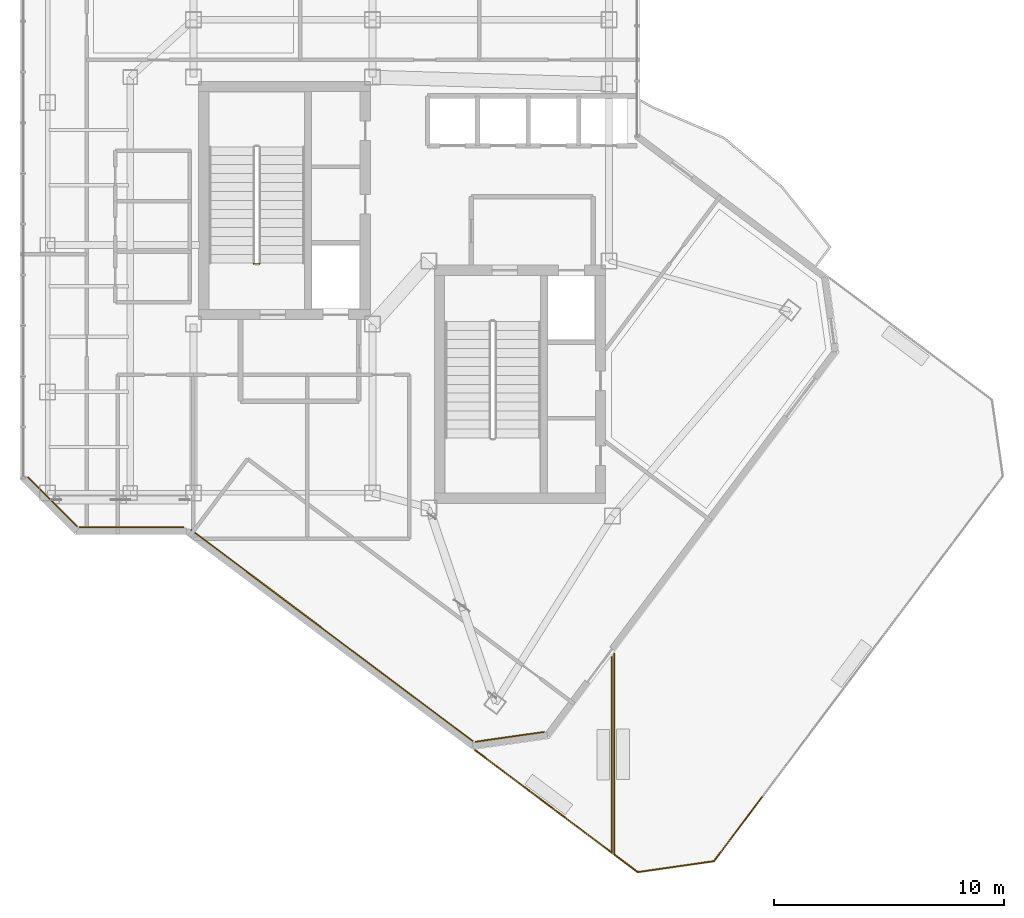
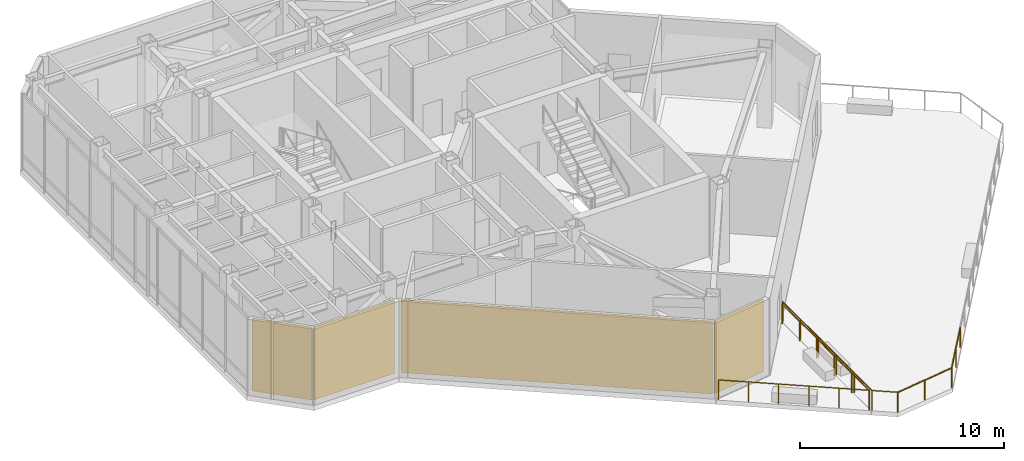
# One storey, part 19 of 21: 21 railings, 4 coverings.
"""IFC4 building model written with IfcOpenShell, lengths in metres."""

from ifc_helpers import new_model, si_unit, direction, frame, origin, origin_2d, place, context, subcontext, project, spatial, rectangle, circle, extrude, material, layer, layer_set, type_object, element, save


model = new_model("IFC4")

# Units and contexts
model_context = context("Model", 3, precision=1e-05, world=origin(), true_north=direction((0.0, 1.0)))
body_context = subcontext(model_context, "Body", "Model", "MODEL_VIEW")
ifc_project = project(units=[si_unit("LENGTHUNIT", "METRE"), si_unit("AREAUNIT", "SQUARE_METRE"), si_unit("VOLUMEUNIT", "CUBIC_METRE"), si_unit("PLANEANGLEUNIT", "RADIAN"), si_unit("MASSUNIT", "GRAM", prefix="KILO")], contexts=[model_context])

# Site, building, storey
site_placement = place(None, origin())
site = spatial("IfcSite", under=ifc_project, at=site_placement, CompositionType="ELEMENT")
building_placement = place(site_placement, origin())
building = spatial("IfcBuilding", under=site, at=building_placement, Name="Hatsunagi Terrace Concourse", CompositionType="ELEMENT")
storey_placement = place(building_placement, frame((0.0, 0.0, 234.75)))
storey = spatial("IfcBuildingStorey", under=building, at=storey_placement, Name="L62", CompositionType="ELEMENT", Elevation=234.75)

# Railings
ifc_material_1 = material(Name="Stainless Steel SUS316 Post-and-Rail Guard", Category="steel")
ifc_layer_1 = layer(ifc_material_1, 0.080078125)
ifc_layer_set_1 = layer_set([ifc_layer_1], Name="TerracePlantedGuardRail_1200")
railing_type = type_object("IfcRailingType", Name="TerracePlantedGuardRail_1200", PredefinedType="GUARDRAIL", material=ifc_layer_set_1)
railing_1_placement = place(storey_placement, frame((28.179931640625, 35.179931640625, 0.0)))
element("IfcRailing", 1, at=railing_1_placement, inside=storey, type_object=railing_type, Name="Stair ST-A Well Closure Guard L62", PredefinedType="GUARDRAIL", context=body_context, shape_type="SweptSolid", body=[
    extrude(circle(Radius=0.02392578125, at=origin_2d()), frame((0.0, 0.0, 1.09619140625), z_axis=(1.0, 0.0, 0.0), x_axis=(0.0, 1.0, 0.0)), (0.0, 0.0, 1.0), 0.25),
    extrude(circle(Radius=0.02099609375, at=origin_2d()), origin(), (0.0, 0.0, 1.0), 1.072021484375),
    extrude(circle(Radius=0.02099609375, at=origin_2d()), frame((0.25, 0.0, 0.0)), (0.0, 0.0, 1.0), 1.072021484375),
])
railing_2_placement = place(storey_placement, frame((43.764892578125, 18.050048828125, -0.0400390625)))
element("IfcRailing", 2, at=railing_2_placement, inside=storey, type_object=railing_type, Name="Sky Garden Guardrail GRD-02 TER-L62-1-1 #1", PredefinedType="GUARDRAIL", context=body_context, shape_type="SweptSolid", body=[
    extrude(circle(Radius=0.02392578125, at=origin_2d()), frame((0.0, 0.0, 1.17578125), z_axis=(0.0, -1.0, 0.0), x_axis=(1.0, 0.0, 0.0)), (0.0, 0.0, 1.0), 1.697998046875),
    extrude(circle(Radius=0.02099609375, at=origin_2d()), origin(), (0.0, 0.0, 1.0), 1.15185546875),
    extrude(circle(Radius=0.02099609375, at=origin_2d()), frame((0.0, -1.697998046875, 0.0)), (0.0, 0.0, 1.0), 1.15185546875),
])
railing_3_placement = place(storey_placement, frame((43.764892578125, 16.343994140625, -0.0400390625)))
element("IfcRailing", 3, at=railing_3_placement, inside=storey, type_object=railing_type, Name="Sky Garden Guardrail GRD-02 TER-L62-1-1 #2", PredefinedType="GUARDRAIL", context=body_context, shape_type="SweptSolid", body=[
    extrude(circle(Radius=0.02392578125, at=origin_2d()), frame((0.0, 0.0, 1.17578125), z_axis=(0.0, -1.0, 0.0), x_axis=(1.0, 0.0, 0.0)), (0.0, 0.0, 1.0), 1.694091796875),
    extrude(circle(Radius=0.02099609375, at=origin_2d()), origin(), (0.0, 0.0, 1.0), 1.15185546875),
    extrude(circle(Radius=0.02099609375, at=origin_2d()), frame((0.0, -1.694091796875, 0.0)), (0.0, 0.0, 1.0), 1.15185546875),
])
railing_4_placement = place(storey_placement, frame((43.764892578125, 14.64208984375, -0.0400390625)))
element("IfcRailing", 4, at=railing_4_placement, inside=storey, type_object=railing_type, Name="Sky Garden Guardrail GRD-02 TER-L62-1-1 #3", PredefinedType="GUARDRAIL", context=body_context, shape_type="SweptSolid", body=[
    extrude(circle(Radius=0.02392578125, at=origin_2d()), frame((0.0, 0.0, 1.17578125), z_axis=(0.0, -1.0, 0.0), x_axis=(1.0, 0.0, 0.0)), (0.0, 0.0, 1.0), 1.695068359375),
    extrude(circle(Radius=0.02099609375, at=origin_2d()), origin(), (0.0, 0.0, 1.0), 1.15185546875),
    extrude(circle(Radius=0.02099609375, at=origin_2d()), frame((0.0, -1.695068359375, 0.0)), (0.0, 0.0, 1.0), 1.15185546875),
])
railing_5_placement = place(storey_placement, frame((43.764892578125, 12.93896484375, -0.0400390625)))
element("IfcRailing", 5, at=railing_5_placement, inside=storey, type_object=railing_type, Name="Sky Garden Guardrail GRD-02 TER-L62-1-1 #4", PredefinedType="GUARDRAIL", context=body_context, shape_type="SweptSolid", body=[
    extrude(circle(Radius=0.02392578125, at=origin_2d()), frame((0.0, 0.0, 1.17578125), z_axis=(0.0, -1.0, 0.0), x_axis=(1.0, 0.0, 0.0)), (0.0, 0.0, 1.0), 1.69384765625),
    extrude(circle(Radius=0.02099609375, at=origin_2d()), origin(), (0.0, 0.0, 1.0), 1.15185546875),
    extrude(circle(Radius=0.02099609375, at=origin_2d()), frame((0.0, -1.69384765625, 0.0)), (0.0, 0.0, 1.0), 1.15185546875),
])
railing_6_placement = place(storey_placement, frame((43.764892578125, 11.237060546875, -0.0400390625)))
element("IfcRailing", 6, at=railing_6_placement, inside=storey, type_object=railing_type, Name="Sky Garden Guardrail GRD-02 TER-L62-1-1 #5", PredefinedType="GUARDRAIL", context=body_context, shape_type="SweptSolid", body=[
    extrude(circle(Radius=0.02392578125, at=origin_2d()), frame((0.0, 0.0, 1.17578125), z_axis=(0.0, -1.0, 0.0), x_axis=(1.0, 0.0, 0.0)), (0.0, 0.0, 1.0), 1.697998046875),
    extrude(circle(Radius=0.02099609375, at=origin_2d()), origin(), (0.0, 0.0, 1.0), 1.15185546875),
    extrude(circle(Radius=0.02099609375, at=origin_2d()), frame((0.0, -1.697998046875, 0.0)), (0.0, 0.0, 1.0), 1.15185546875),
])
railing_7_placement = place(storey_placement, frame((43.764892578125, 9.5390625, -0.0400390625)))
element("IfcRailing", 7, at=railing_7_placement, inside=storey, type_object=railing_type, Name="Sky Garden Guardrail GRD-02 TER-L62-1-1 #6", PredefinedType="GUARDRAIL", context=body_context, shape_type="SweptSolid", body=[
    extrude(circle(Radius=0.02392578125, at=origin_2d()), frame((0.0, 0.0, 1.17578125), z_axis=(-0.800138359662, 0.599815476123, 0.0), x_axis=(-0.599815476123, -0.800138359662, 0.0)), (0.0, 0.0, 1.0), 1.48193359375),
    extrude(circle(Radius=0.02099609375, at=origin_2d()), origin(), (0.0, 0.0, 1.0), 1.15185546875),
    extrude(circle(Radius=0.02099609375, at=origin_2d()), frame((-1.185791015625, 0.888916015625, 0.0)), (0.0, 0.0, 1.0), 1.15185546875),
])
railing_8_placement = place(storey_placement, frame((42.572998046875, 10.43310546875, -0.0400390625)))
element("IfcRailing", 8, at=railing_8_placement, inside=storey, type_object=railing_type, Name="Sky Garden Guardrail GRD-02 TER-L62-1-1 #7", PredefinedType="GUARDRAIL", context=body_context, shape_type="SweptSolid", body=[
    extrude(circle(Radius=0.02392578125, at=origin_2d()), frame((0.0, 0.0, 1.17578125), z_axis=(-0.799821528917, 0.600237887741, 0.0), x_axis=(-0.600237887741, -0.799821528917, 0.0)), (0.0, 0.0, 1.0), 1.477783203125),
    extrude(circle(Radius=0.02099609375, at=origin_2d()), origin(), (0.0, 0.0, 1.0), 1.15185546875),
    extrude(circle(Radius=0.02099609375, at=origin_2d()), frame((-1.181884765625, 0.886962890625, 0.0)), (0.0, 0.0, 1.0), 1.15185546875),
])
for number, where, name in (
    (9, (41.384033203125, 11.324951171875, -0.0400390625), "Sky Garden Guardrail GRD-02 TER-L62-1-1 #8"),
    (10, (40.195068359375, 12.217041015625, -0.0400390625), "Sky Garden Guardrail GRD-02 TER-L62-1-1 #9"),
):
    element("IfcRailing", number, at=place(storey_placement, frame(where)), inside=storey, type_object=railing_type, Name=name, PredefinedType="GUARDRAIL", context=body_context, shape_type="SweptSolid", body=[
        extrude(circle(Radius=0.02392578125, at=origin_2d()), frame((0.0, 0.0, 1.17578125), z_axis=(-0.799881042862, 0.600158576769, 0.0), x_axis=(-0.600158576769, -0.799881042862, 0.0)), (0.0, 0.0, 1.0), 1.477783203125),
        extrude(circle(Radius=0.02099609375, at=origin_2d()), origin(), (0.0, 0.0, 1.0), 1.15185546875),
        extrude(circle(Radius=0.02099609375, at=origin_2d()), frame((-1.18212890625, 0.886962890625, 0.0)), (0.0, 0.0, 1.0), 1.15185546875),
    ])
railing_9_placement = place(storey_placement, frame((39.007080078125, 13.10888671875, -0.0400390625)))
element("IfcRailing", 11, at=railing_9_placement, inside=storey, type_object=railing_type, Name="Sky Garden Guardrail GRD-02 TER-L62-1-1 #10", PredefinedType="GUARDRAIL", context=body_context, shape_type="SweptSolid", body=[
    extrude(circle(Radius=0.02392578125, at=origin_2d()), frame((0.0, 0.0, 1.17578125), z_axis=(-0.80011856926, 0.599841875102, 0.0), x_axis=(-0.599841875102, -0.80011856926, 0.0)), (0.0, 0.0, 1.0), 1.482421875),
    extrude(circle(Radius=0.02099609375, at=origin_2d()), origin(), (0.0, 0.0, 1.0), 1.15185546875),
    extrude(circle(Radius=0.02099609375, at=origin_2d()), frame((-1.18603515625, 0.88916015625, 0.0)), (0.0, 0.0, 1.0), 1.15185546875),
])
railing_10_placement = place(storey_placement, frame((50.305908203125, 11.9580078125, -0.0400390625)))
element("IfcRailing", 12, at=railing_10_placement, inside=storey, type_object=railing_type, Name="Sky Garden Guardrail GRD-02 TER-L62-2-1 #18", PredefinedType="GUARDRAIL", context=body_context, shape_type="SweptSolid", body=[
    extrude(circle(Radius=0.02392578125, at=origin_2d()), frame((0.0, 0.0, 1.17578125), z_axis=(-0.600224569272, -0.799831523786, 0.0), x_axis=(0.799831523786, -0.600224569272, 0.0)), (0.0, 0.0, 1.0), 1.7392578125),
    extrude(circle(Radius=0.02099609375, at=origin_2d()), origin(), (0.0, 0.0, 1.0), 1.15185546875),
    extrude(circle(Radius=0.02099609375, at=origin_2d()), frame((-1.0439453125, -1.39111328125, 0.0)), (0.0, 0.0, 1.0), 1.15185546875),
])
railing_11_placement = place(storey_placement, frame((49.258056640625, 10.56103515625, -0.0400390625)))
element("IfcRailing", 13, at=railing_11_placement, inside=storey, type_object=railing_type, Name="Sky Garden Guardrail GRD-02 TER-L62-2-1 #19", PredefinedType="GUARDRAIL", context=body_context, shape_type="SweptSolid", body=[
    extrude(circle(Radius=0.02392578125, at=origin_2d()), frame((0.0, 0.0, 1.17578125), z_axis=(-0.600224097471, -0.799831877844, 0.0), x_axis=(0.799831877844, -0.600224097471, 0.0)), (0.0, 0.0, 1.0), 1.742919921875),
    extrude(circle(Radius=0.02099609375, at=origin_2d()), origin(), (0.0, 0.0, 1.0), 1.15185546875),
    extrude(circle(Radius=0.02099609375, at=origin_2d()), frame((-1.046142578125, -1.39404296875, 0.0)), (0.0, 0.0, 1.0), 1.15185546875),
])
for number, where, name in (
    (14, (48.2119140625, 9.1669921875, -0.0400390625), "Sky Garden Guardrail GRD-02 TER-L62-2-1 #20"),
    (15, (46.549072265625, 8.928955078125, -0.0400390625), "Sky Garden Guardrail GRD-02 TER-L62-2-1 #21"),
):
    element("IfcRailing", number, at=place(storey_placement, frame(where)), inside=storey, type_object=railing_type, Name=name, PredefinedType="GUARDRAIL", context=body_context, shape_type="SweptSolid", body=[
        extrude(circle(Radius=0.02392578125, at=origin_2d()), frame((0.0, 0.0, 1.17578125), z_axis=(-0.989908589236, -0.141707392031, 0.0), x_axis=(0.141707392031, -0.989908589236, 0.0)), (0.0, 0.0, 1.0), 1.6728515625),
        extrude(circle(Radius=0.02099609375, at=origin_2d()), origin(), (0.0, 0.0, 1.0), 1.15185546875),
        extrude(circle(Radius=0.02099609375, at=origin_2d()), frame((-1.656005859375, -0.237060546875, 0.0)), (0.0, 0.0, 1.0), 1.15185546875),
    ])
railing_12_placement = place(storey_placement, frame((44.89306640625, 8.69189453125, -0.0400390625)))
element("IfcRailing", 16, at=railing_12_placement, inside=storey, type_object=railing_type, Name="Sky Garden Guardrail GRD-02 TER-L62-2-1 #22", PredefinedType="GUARDRAIL", context=body_context, shape_type="SweptSolid", body=[
    extrude(circle(Radius=0.02392578125, at=origin_2d()), frame((0.0, 0.0, 1.17578125), z_axis=(-0.799769791565, 0.600306821966, 0.0), x_axis=(-0.600306821966, -0.799769791565, 0.0)), (0.0, 0.0, 1.0), 1.27294921875),
    extrude(circle(Radius=0.02099609375, at=origin_2d()), origin(), (0.0, 0.0, 1.0), 1.15185546875),
    extrude(circle(Radius=0.02099609375, at=origin_2d()), frame((-1.01806640625, 0.76416015625, 0.0)), (0.0, 0.0, 1.0), 1.15185546875),
])
railing_13_placement = place(storey_placement, frame((43.875, 9.4560546875, -0.0400390625)))
element("IfcRailing", 17, at=railing_13_placement, inside=storey, type_object=railing_type, Name="Sky Garden Guardrail GRD-02 TER-L62-2-1 #23", PredefinedType="GUARDRAIL", context=body_context, shape_type="SweptSolid", body=[
    extrude(circle(Radius=0.02392578125, at=origin_2d()), frame((0.0, 0.0, 1.17578125), z_axis=(0.0, 1.0, 0.0), x_axis=(-1.0, 0.0, 0.0)), (0.0, 0.0, 1.0), 1.743896484375),
    extrude(circle(Radius=0.02099609375, at=origin_2d()), origin(), (0.0, 0.0, 1.0), 1.15185546875),
    extrude(circle(Radius=0.02099609375, at=origin_2d()), frame((0.0, 1.743896484375, 0.0)), (0.0, 0.0, 1.0), 1.15185546875),
])
for number, where, name in (
    (18, (43.875, 11.2080078125, -0.0400390625), "Sky Garden Guardrail GRD-02 TER-L62-2-1 #24"),
    (19, (43.875, 12.9560546875, -0.0400390625), "Sky Garden Guardrail GRD-02 TER-L62-2-1 #25"),
    (20, (43.875, 14.7041015625, -0.0400390625), "Sky Garden Guardrail GRD-02 TER-L62-2-1 #26"),
):
    element("IfcRailing", number, at=place(storey_placement, frame(where)), inside=storey, type_object=railing_type, Name=name, PredefinedType="GUARDRAIL", context=body_context, shape_type="SweptSolid", body=[
        extrude(circle(Radius=0.02392578125, at=origin_2d()), frame((0.0, 0.0, 1.17578125), z_axis=(0.0, 1.0, 0.0), x_axis=(-1.0, 0.0, 0.0)), (0.0, 0.0, 1.0), 1.739990234375),
        extrude(circle(Radius=0.02099609375, at=origin_2d()), origin(), (0.0, 0.0, 1.0), 1.15185546875),
        extrude(circle(Radius=0.02099609375, at=origin_2d()), frame((0.0, 1.739990234375, 0.0)), (0.0, 0.0, 1.0), 1.15185546875),
    ])
railing_14_placement = place(storey_placement, frame((43.875, 16.451904296875, -0.0400390625)))
element("IfcRailing", 21, at=railing_14_placement, inside=storey, type_object=railing_type, Name="Sky Garden Guardrail GRD-02 TER-L62-2-1 #27", PredefinedType="GUARDRAIL", context=body_context, shape_type="SweptSolid", body=[
    extrude(circle(Radius=0.02392578125, at=origin_2d()), frame((0.0, 0.0, 1.17578125), z_axis=(0.0, 1.0, 0.0), x_axis=(-1.0, 0.0, 0.0)), (0.0, 0.0, 1.0), 1.744140625),
    extrude(circle(Radius=0.02099609375, at=origin_2d()), origin(), (0.0, 0.0, 1.0), 1.15185546875),
    extrude(circle(Radius=0.02099609375, at=origin_2d()), frame((0.0, 1.744140625, 0.0)), (0.0, 0.0, 1.0), 1.15185546875),
])

# Coverings
ifc_material_2 = material(Name="Unglazed Warm Terracotta Rainscreen Tile", Category="masonry")
ifc_layer_2 = layer(ifc_material_2, 0.044921875)
ifc_layer_set_2 = layer_set([ifc_layer_2], Name="TerracottaRainscreenCladding_45")
covering_type = type_object("IfcCoveringType", Name="TerracottaRainscreenCladding_45", PredefinedType="CLADDING", material=ifc_layer_set_2)
covering_1_placement = place(storey_placement, frame((39.318115234375, 14.5791015625, 0.099853515625), z_axis=(0.0, 0.0, 1.0), x_axis=(-0.989973920543, -0.141250262458, 0.0)))
element("IfcCovering", 22, at=covering_1_placement, inside=storey, type_object=covering_type, Name="Terracotta Rainscreen Cladding L62-04", PredefinedType="CLADDING", context=body_context, shape_type="SweptSolid", body=[
    extrude(rectangle(XDim=3.0380859375, YDim=0.044921875, at=origin_2d()), origin(), (0.0, 0.0, 1.0), 4.35009765625),
])
covering_2_placement = place(storey_placement, frame((31.580078125, 18.992919921875, 0.099853515625), z_axis=(0.0, 0.0, 1.0), x_axis=(-0.800007305671, 0.599990258982, 0.0)))
element("IfcCovering", 23, at=covering_2_placement, inside=storey, type_object=covering_type, Name="Terracotta Rainscreen Cladding L62-05", PredefinedType="CLADDING", context=body_context, shape_type="SweptSolid", body=[
    extrude(rectangle(XDim=15.34912109375, YDim=0.044921875, at=origin_2d()), origin(), (0.0, 0.0, 1.0), 4.35009765625),
])
covering_3_placement = place(storey_placement, frame((22.85205078125, 23.701904296875, 0.099853515625), z_axis=(0.0, 0.0, 1.0), x_axis=(-1.0, 0.0, 0.0)))
element("IfcCovering", 24, at=covering_3_placement, inside=storey, type_object=covering_type, Name="Terracotta Rainscreen Cladding L62-06", PredefinedType="CLADDING", context=body_context, shape_type="SweptSolid", body=[
    extrude(rectangle(XDim=4.549072265625, YDim=0.044921875, at=origin_2d()), origin(), (0.0, 0.0, 1.0), 4.35009765625),
])
covering_4_placement = place(storey_placement, frame((19.4140625, 24.81396484375, 0.099853515625), z_axis=(0.0, 0.0, 1.0), x_axis=(-0.707106781187, 0.707106781187, 0.0)))
element("IfcCovering", 25, at=covering_4_placement, inside=storey, type_object=covering_type, Name="Terracotta Rainscreen Cladding L62-07", PredefinedType="CLADDING", context=body_context, shape_type="SweptSolid", body=[
    extrude(rectangle(XDim=3.0380859375, YDim=0.044921875, at=origin_2d()), origin(), (0.0, 0.0, 1.0), 4.35009765625),
])

save(model, "model.ifc")
